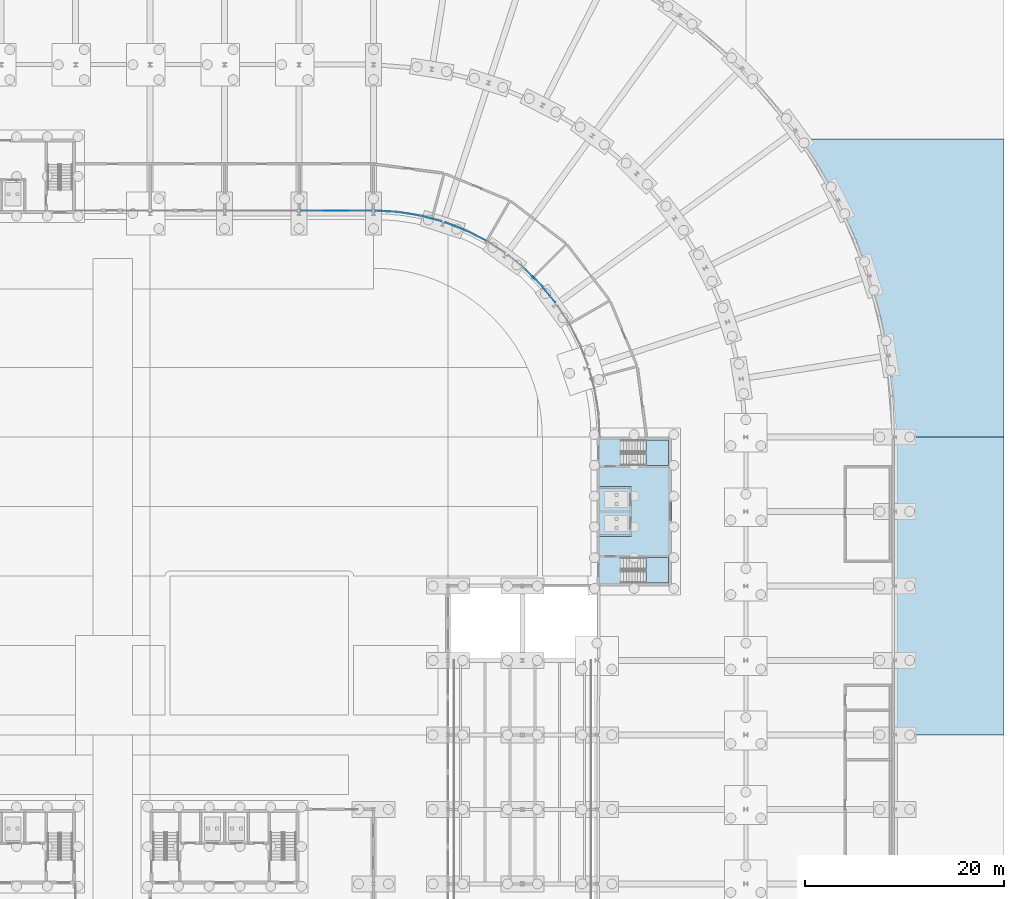
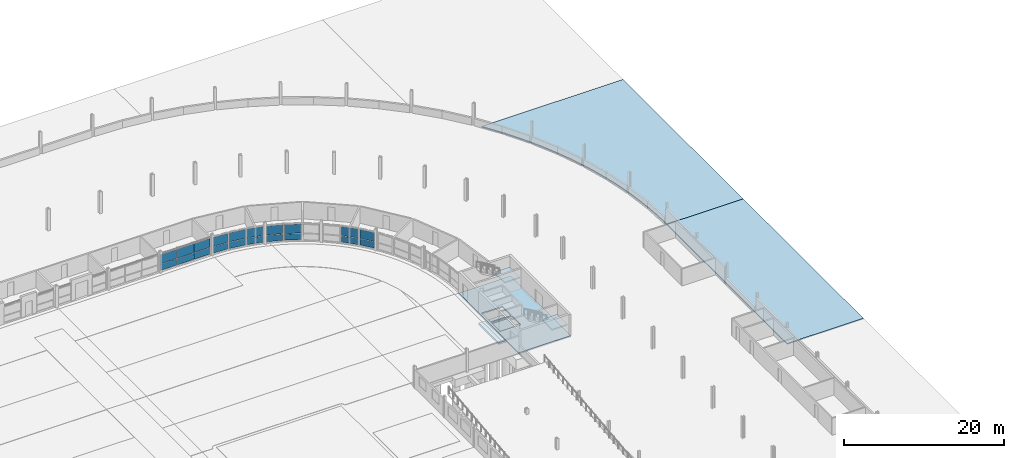
# One storey, part 74 of 130: 20 plates, 6 slabs, 10 elements without a shape of their own.
"""IFC4 building model written with IfcOpenShell, lengths in metres."""

import ifcopenshell
import ifcopenshell.guid

model = None  # the IFC model being written
_history = None  # IfcOwnerHistory: only IFC2X3 demands one
_inside = {}  # id of a spatial element -> (the spatial element, [elements in it])
_under = {}  # id of a project, library or spatial element -> (it, [spatial elements below it])
_declared = {}  # id of a project -> (the project, [libraries it declares])
_typed = {}  # id of a type object -> (the type object, [elements of that type])
_made_of = {}  # id of a material, layer set ... -> (it, [elements and type objects made of it])


def new_model(schema):
    """Start an empty IFC model of exactly this schema.

    Asked for "IFC4X3", IfcOpenShell would pick the latest addendum, in which some entities
    have other attributes; the version numbers below select the first issue.
    IFC2X3 requires an IfcOwnerHistory on every rooted entity: one is made here for all.
    """
    global model, _history
    if schema == "IFC4X3":
        model = ifcopenshell.file(schema_version=(4, 3, 0, 0))
    else:
        model = ifcopenshell.file(schema=schema)
    _inside.clear()
    _under.clear()
    _declared.clear()
    _typed.clear()
    _made_of.clear()
    _history = None
    if model.schema == "IFC2X3":
        org = make("IfcOrganization", Name="unknown")
        user = make(
            "IfcPersonAndOrganization",
            ThePerson=make("IfcPerson", FamilyName="unknown"),
            TheOrganization=org,
        )
        app = make(
            "IfcApplication",
            ApplicationDeveloper=org,
            Version="unknown",
            ApplicationFullName="unknown",
            ApplicationIdentifier="unknown",
        )
        _history = make(
            "IfcOwnerHistory",
            OwningUser=user,
            OwningApplication=app,
            ChangeAction="ADDED",
            CreationDate=0,
        )
    return model


def make(cls, **values):
    """One entity of the class cls with the attributes given. An attribute that is None is left unset."""
    return model.create_entity(
        cls, **{name: value for name, value in values.items() if value is not None}
    )


def rooted(cls, **values):
    """An entity with a GlobalId (a new one), such as an element, a storey or a relation."""
    return make(cls, GlobalId=ifcopenshell.guid.new(), OwnerHistory=_history, **values)


def si_unit(unit_type, name, prefix=None):
    """IfcSIUnit, for example si_unit("LENGTHUNIT", "METRE", prefix="MILLI")."""
    return make("IfcSIUnit", UnitType=unit_type, Prefix=prefix, Name=name)


def assignment(units):
    """IfcUnitAssignment: the units of a project."""
    return None if units is None else make("IfcUnitAssignment", Units=units)


def point(xyz):
    """IfcCartesianPoint."""
    return None if xyz is None else make("IfcCartesianPoint", Coordinates=xyz)


def direction(xyz):
    """IfcDirection."""
    return None if xyz is None else make("IfcDirection", DirectionRatios=xyz)


def frame(location, z_axis=None, x_axis=None):
    """IfcAxis2Placement3D, a coordinate frame: its origin and axes. An axis left out is left unset."""
    return make(
        "IfcAxis2Placement3D",
        Location=point(location),
        Axis=direction(z_axis),
        RefDirection=direction(x_axis),
    )


def frame_2d(location, x_axis=None):
    """IfcAxis2Placement2D, a coordinate frame in the plane: its origin and x axis."""
    return make(
        "IfcAxis2Placement2D", Location=point(location), RefDirection=direction(x_axis)
    )


def origin():
    """The frame at (0, 0, 0) with its axes left unset."""
    return frame((0.0, 0.0, 0.0))


def origin_2d():
    """The frame at (0, 0) in the plane with its x axis left unset."""
    return frame_2d((0.0, 0.0))


def place(relative_to, where):
    """IfcLocalPlacement: puts the frame where relative to a parent placement (None: the world)."""
    return make(
        "IfcLocalPlacement", PlacementRelTo=relative_to, RelativePlacement=where
    )


def context(
    kind, dimensions, precision=None, world=None, true_north=None, identifier=None
):
    """IfcGeometricRepresentationContext, for example the 3D "Model" context."""
    return make(
        "IfcGeometricRepresentationContext",
        ContextIdentifier=identifier,
        ContextType=kind,
        CoordinateSpaceDimension=dimensions,
        Precision=precision,
        WorldCoordinateSystem=world,
        TrueNorth=true_north,
    )


def subcontext(parent, identifier, kind, view, scale=None):
    """IfcGeometricRepresentationSubContext, for example "Body" below "Model"."""
    return make(
        "IfcGeometricRepresentationSubContext",
        ContextIdentifier=identifier,
        ContextType=kind,
        ParentContext=parent,
        TargetScale=scale,
        TargetView=view,
    )


def project(units=None, contexts=None):
    """IfcProject with its units and contexts."""
    return rooted(
        "IfcProject",
        Name="project",
        RepresentationContexts=contexts,
        UnitsInContext=assignment(units),
    )


def spatial(cls, under=None, at=None, **own):
    """A site, building, storey or space (cls), placed at a placement, below another one or the project."""
    s = rooted(cls, ObjectPlacement=at, **own)
    if under is not None:
        _under.setdefault(under.id(), (under, []))[1].append(s)
    return s


def polyline(points):
    """IfcPolyline through the points."""
    return make("IfcPolyline", Points=[point(p) for p in points])


def profile(cls, at=None, kind="AREA", **sizes):
    """A parametric profile (cls). Its sizes go by their IFC names, for example OverallWidth=200.0."""
    return make(cls, ProfileType=kind, Position=at, **sizes)


def rectangle(**sizes):
    """IfcRectangleProfileDef."""
    return profile("IfcRectangleProfileDef", **sizes)


def outline(outer, holes=None, kind="AREA"):
    """IfcArbitraryClosedProfileDef: a profile drawn as a closed curve; with holes, ...WithVoids."""
    if holes is None:
        return make("IfcArbitraryClosedProfileDef", ProfileType=kind, OuterCurve=outer)
    return make(
        "IfcArbitraryProfileDefWithVoids",
        ProfileType=kind,
        OuterCurve=outer,
        InnerCurves=holes,
    )


def extrude(swept, where, along, depth):
    """IfcExtrudedAreaSolid: the profile swept, set in the frame where, extruded along a direction by depth."""
    return make(
        "IfcExtrudedAreaSolid",
        SweptArea=swept,
        Position=where,
        ExtrudedDirection=direction(along),
        Depth=depth,
    )


def shape(context_of_items, identifier, shape_type, items):
    """IfcShapeRepresentation: the items that make up one representation, for example the "Body"."""
    return make(
        "IfcShapeRepresentation",
        ContextOfItems=context_of_items,
        RepresentationIdentifier=identifier,
        RepresentationType=shape_type,
        Items=items,
    )


def material(Name=None, Category=None):
    """IfcMaterial."""
    return make("IfcMaterial", Name=Name, Category=Category)


def layer(
    of_material, thickness, ventilated=None, Name=None, Category=None, Priority=None
):
    """IfcMaterialLayer: one layer of a wall or slab, of a material (None: an air gap)."""
    return make(
        "IfcMaterialLayer",
        Material=of_material,
        LayerThickness=thickness,
        IsVentilated=ventilated,
        Name=Name,
        Category=Category,
        Priority=Priority,
    )


def layer_set(layers, Name=None):
    """IfcMaterialLayerSet."""
    return make("IfcMaterialLayerSet", MaterialLayers=layers, LayerSetName=Name)


def made_of(thing, what):
    """Note that an element or type object is made of a material, layer set ...; save() writes the relation."""
    if what is not None:
        _made_of.setdefault(what.id(), (what, []))[1].append(thing)
    return thing


def type_object(cls, material=None, **own):
    """A type object (cls), such as IfcWallType, which elements share."""
    return made_of(rooted(cls, **own), material)


def element(
    cls,
    number,
    at=None,
    inside=None,
    cuts=None,
    type_object=None,
    material=None,
    context=None,
    identifier="Body",
    shape_type=None,
    held_by="IfcProductDefinitionShape",
    body=None,
    shapes=None,
    **own,
):
    """One element of the class cls, such as IfcWall. Its Tag is "e" and its number.

    at: its placement. inside: the storey or other place that contains it. cuts: it is an
    opening in that element (IfcRelVoidsElement). A single representation is given by context,
    identifier, shape_type and body (its items); several are given by shapes. held_by: the class
    of the entity that holds the representations. save() writes the other relations.
    """
    e = rooted(cls, Tag="e%d" % number, ObjectPlacement=at, **own)
    if body is not None:
        shapes = [shape(context, identifier, shape_type, body)]
    if shapes is not None:
        e.Representation = make(held_by, Representations=shapes)
    if inside is not None:
        _inside.setdefault(inside.id(), (inside, []))[1].append(e)
    if cuts is not None:
        rooted(
            "IfcRelVoidsElement", RelatingBuildingElement=cuts, RelatedOpeningElement=e
        )
    if type_object is not None:
        _typed.setdefault(type_object.id(), (type_object, []))[1].append(e)
    return made_of(e, material)


def aggregate(whole, parts):
    """IfcRelAggregates: a whole, such as a stair, and the parts it consists of."""
    return rooted("IfcRelAggregates", RelatingObject=whole, RelatedObjects=parts)


def save(model, path):
    """Write the relations noted so far, then the file.

    IfcRelAggregates (storeys below a building ...), IfcRelContainedInSpatialStructure (elements
    in a storey), IfcRelDefinesByType, IfcRelAssociatesMaterial and IfcRelDeclares: one each for
    every whole, place, type object, material and project.
    """
    for whole, parts in _under.values():
        aggregate(whole, parts)
    for where, things in _inside.values():
        rooted(
            "IfcRelContainedInSpatialStructure",
            RelatedElements=things,
            RelatingStructure=where,
        )
    for kind, things in _typed.values():
        rooted("IfcRelDefinesByType", RelatedObjects=things, RelatingType=kind)
    for what, things in _made_of.values():
        rooted("IfcRelAssociatesMaterial", RelatedObjects=things, RelatingMaterial=what)
    for by, libraries in _declared.values():
        rooted("IfcRelDeclares", RelatingContext=by, RelatedDefinitions=libraries)
    model.write(path)


model = new_model("IFC4")

# Units and contexts
model_context = context("Model", 3, precision=1e-05, world=origin(), true_north=direction((0.0, 1.0)))
body_context = subcontext(model_context, "Body", "Model", "MODEL_VIEW")
ifc_project = project(units=[si_unit("LENGTHUNIT", "METRE"), si_unit("AREAUNIT", "SQUARE_METRE"), si_unit("VOLUMEUNIT", "CUBIC_METRE"), si_unit("PLANEANGLEUNIT", "RADIAN"), si_unit("MASSUNIT", "GRAM", prefix="KILO")], contexts=[model_context])

# Site, building, storey
site_placement = place(None, origin())
site = spatial("IfcSite", under=ifc_project, at=site_placement, CompositionType="ELEMENT")
building_placement = place(site_placement, origin())
building = spatial("IfcBuilding", under=site, at=building_placement, Name="Parallax Yard Mobility Hub", CompositionType="ELEMENT")
storey_placement = place(building_placement, origin())
storey = spatial("IfcBuildingStorey", under=building, at=storey_placement, Name="L00", CompositionType="ELEMENT", Elevation=0.0)

# Slab
ifc_material_1 = material(Name="Concrete fc' 28 MPa", Category="concrete")
ifc_layer_1 = layer(ifc_material_1, 0.199951171875)
ifc_layer_set_1 = layer_set([ifc_layer_1], Name="Core ground slab 200")
slab_type_1 = type_object("IfcSlabType", Name="Core ground slab 200", PredefinedType="BASESLAB", material=ifc_layer_set_1)
slab_1_placement = place(storey_placement, frame((0.0, 0.0, -0.199951171875)))
element("IfcSlab", 1, at=slab_1_placement, inside=storey, type_object=slab_type_1, Name="Core C-E ground slab", PredefinedType="BASESLAB", context=body_context, shape_type="SweptSolid", body=[
    extrude(outline(polyline([(195.0, 75.0), (195.0, 90.0), (202.5, 90.0), (202.5, 75.0), (195.0, 75.0)]), holes=[polyline([(195.300048828125, 80.199951171875), (198.300048828125, 80.199951171875), (198.300048828125, 82.39990234375), (195.300048828125, 82.39990234375), (195.300048828125, 80.199951171875)]), polyline([(195.300048828125, 84.800048828125), (195.300048828125, 82.60009765625), (198.300048828125, 82.60009765625), (198.300048828125, 84.800048828125), (195.300048828125, 84.800048828125)])]), origin(), (0.0, 0.0, 1.0), 0.199951171875),
])

# Curtain wall, plates
ifc_material_2 = material(Name="Aluminium and glass curtain wall", Category="aluminium")
curtain_wall_type = type_object("IfcCurtainWallType", Name="Curtain wall, aluminium stick system", PredefinedType="NOTDEFINED", material=ifc_material_2)
curtain_wall_1_placement = place(storey_placement, origin())
curtain_wall_1 = element("IfcCurtainWall", 2, at=curtain_wall_1_placement, inside=storey, type_object=curtain_wall_type, Name="Curtain wall CW23 level L00 bay 17", PredefinedType="NOTDEFINED")
ifc_material_3 = material(Name="Glass, laminated double glazing", Category="glass")
ifc_layer_2 = layer(ifc_material_3, 0.028076171875)
ifc_layer_set_2 = layer_set([ifc_layer_2], Name="Curtain wall glass, laminated double glazing 28")
plate_type = type_object("IfcPlateType", Name="Curtain wall glass, laminated double glazing 28", PredefinedType="CURTAIN_PANEL", material=ifc_layer_set_2)
plate_1_placement = place(storey_placement, frame((166.367431640625, 112.800048828125, 0.06005859375), z_axis=(0.0, 0.0, 1.0), x_axis=(1.0, 0.0, 0.0)))
plate_1 = element("IfcPlate", 3, at=plate_1_placement, type_object=plate_type, Name="CW23 panel 1.1", PredefinedType="CURTAIN_PANEL", context=body_context, shape_type="SweptSolid", body=[
    extrude(rectangle(XDim=2.3076171875, YDim=0.028076171875, at=origin_2d()), origin(), (0.0, 0.0, 1.0), 0.9599609375),
])
plate_2_placement = place(storey_placement, frame((166.367431640625, 112.800048828125, 1.080078125), z_axis=(0.0, 0.0, 1.0), x_axis=(1.0, 0.0, 0.0)))
plate_2 = element("IfcPlate", 4, at=plate_2_placement, type_object=plate_type, Name="CW23 panel 1.2", PredefinedType="CURTAIN_PANEL", context=body_context, shape_type="SweptSolid", body=[
    extrude(rectangle(XDim=2.3076171875, YDim=0.028076171875, at=origin_2d()), origin(), (0.0, 0.0, 1.0), 1.360107421875),
])
plate_3_placement = place(storey_placement, frame((168.75, 112.800048828125, 0.06005859375), z_axis=(0.0, 0.0, 1.0), x_axis=(1.0, 0.0, 0.0)))
plate_3 = element("IfcPlate", 5, at=plate_3_placement, type_object=plate_type, Name="CW23 panel 2.1", PredefinedType="CURTAIN_PANEL", context=body_context, shape_type="SweptSolid", body=[
    extrude(rectangle(XDim=2.337646484375, YDim=0.028076171875, at=origin_2d()), origin(), (0.0, 0.0, 1.0), 0.9599609375),
])
plate_4_placement = place(storey_placement, frame((168.75, 112.800048828125, 1.080078125), z_axis=(0.0, 0.0, 1.0), x_axis=(1.0, 0.0, 0.0)))
plate_4 = element("IfcPlate", 6, at=plate_4_placement, type_object=plate_type, Name="CW23 panel 2.2", PredefinedType="CURTAIN_PANEL", context=body_context, shape_type="SweptSolid", body=[
    extrude(rectangle(XDim=2.337646484375, YDim=0.028076171875, at=origin_2d()), origin(), (0.0, 0.0, 1.0), 1.360107421875),
])
plate_5_placement = place(storey_placement, frame((171.132568359375, 112.800048828125, 0.06005859375), z_axis=(0.0, 0.0, 1.0), x_axis=(1.0, 0.0, 0.0)))
plate_5 = element("IfcPlate", 7, at=plate_5_placement, type_object=plate_type, Name="CW23 panel 3.1", PredefinedType="CURTAIN_PANEL", context=body_context, shape_type="SweptSolid", body=[
    extrude(rectangle(XDim=2.3076171875, YDim=0.028076171875, at=origin_2d()), origin(), (0.0, 0.0, 1.0), 0.9599609375),
])
plate_6_placement = place(storey_placement, frame((171.132568359375, 112.800048828125, 1.080078125), z_axis=(0.0, 0.0, 1.0), x_axis=(1.0, 0.0, 0.0)))
plate_6 = element("IfcPlate", 8, at=plate_6_placement, type_object=plate_type, Name="CW23 panel 3.2", PredefinedType="CURTAIN_PANEL", context=body_context, shape_type="SweptSolid", body=[
    extrude(rectangle(XDim=2.3076171875, YDim=0.028076171875, at=origin_2d()), origin(), (0.0, 0.0, 1.0), 1.360107421875),
])
aggregate(curtain_wall_1, [plate_1, plate_2, plate_3, plate_4, plate_5, plate_6])

curtain_wall_2_placement = place(storey_placement, origin())
curtain_wall_2 = element("IfcCurtainWall", 9, at=curtain_wall_2_placement, inside=storey, type_object=curtain_wall_type, Name="Curtain wall CW24 level L00 bay 18.1", PredefinedType="NOTDEFINED")
plate_7_placement = place(storey_placement, frame((173.751708984375, 112.728759765625, 0.06005859375), z_axis=(0.0, 0.0, 1.0), x_axis=(0.99836059838, -0.057237361947, 0.0)))
plate_7 = element("IfcPlate", 10, at=plate_7_placement, type_object=plate_type, Name="CW24 panel 1.1", PredefinedType="CURTAIN_PANEL", context=body_context, shape_type="SweptSolid", body=[
    extrude(rectangle(XDim=2.035888671875, YDim=0.028076171875, at=origin_2d()), origin(), (0.0, 0.0, 1.0), 0.9599609375),
])
plate_8_placement = place(storey_placement, frame((173.751708984375, 112.728759765625, 1.080078125), z_axis=(0.0, 0.0, 1.0), x_axis=(0.99836059838, -0.057237361947, 0.0)))
plate_8 = element("IfcPlate", 11, at=plate_8_placement, type_object=plate_type, Name="CW24 panel 1.2", PredefinedType="CURTAIN_PANEL", context=body_context, shape_type="SweptSolid", body=[
    extrude(rectangle(XDim=2.035888671875, YDim=0.028076171875, at=origin_2d()), origin(), (0.0, 0.0, 1.0), 1.360107421875),
])
aggregate(curtain_wall_2, [plate_7, plate_8])

curtain_wall_3_placement = place(storey_placement, origin())
curtain_wall_3 = element("IfcCurtainWall", 12, at=curtain_wall_3_placement, inside=storey, type_object=curtain_wall_type, Name="Curtain wall CW25 level L00 bay 18.2", PredefinedType="NOTDEFINED")
plate_9_placement = place(storey_placement, frame((176.059814453125, 112.4794921875, 0.06005859375), z_axis=(0.0, 0.0, 1.0), x_axis=(0.987944860935, -0.154806174785, 0.0)))
plate_9 = element("IfcPlate", 13, at=plate_9_placement, type_object=plate_type, Name="CW25 panel 1.1", PredefinedType="CURTAIN_PANEL", context=body_context, shape_type="SweptSolid", body=[
    extrude(rectangle(XDim=2.15380859375, YDim=0.028076171875, at=origin_2d()), origin(), (0.0, 0.0, 1.0), 0.9599609375),
])
plate_10_placement = place(storey_placement, frame((176.059814453125, 112.4794921875, 1.080078125), z_axis=(0.0, 0.0, 1.0), x_axis=(0.987944860935, -0.154806174785, 0.0)))
plate_10 = element("IfcPlate", 14, at=plate_10_placement, type_object=plate_type, Name="CW25 panel 1.2", PredefinedType="CURTAIN_PANEL", context=body_context, shape_type="SweptSolid", body=[
    extrude(rectangle(XDim=2.15380859375, YDim=0.028076171875, at=origin_2d()), origin(), (0.0, 0.0, 1.0), 1.360107421875),
])
aggregate(curtain_wall_3, [plate_9, plate_10])

curtain_wall_4_placement = place(storey_placement, origin())
curtain_wall_4 = element("IfcCurtainWall", 15, at=curtain_wall_4_placement, inside=storey, type_object=curtain_wall_type, Name="Curtain wall CW26 level L00 bay 18.3", PredefinedType="NOTDEFINED")
plate_11_placement = place(storey_placement, frame((178.33447265625, 112.0009765625, 0.06005859375), z_axis=(0.0, 0.0, 1.0), x_axis=(0.965924262406, -0.258824881523, 0.0)))
plate_11 = element("IfcPlate", 16, at=plate_11_placement, type_object=plate_type, Name="CW26 panel 1.1", PredefinedType="CURTAIN_PANEL", context=body_context, shape_type="SweptSolid", body=[
    extrude(rectangle(XDim=2.037841796875, YDim=0.028076171875, at=origin_2d()), origin(), (0.0, 0.0, 1.0), 0.9599609375),
])
plate_12_placement = place(storey_placement, frame((178.33447265625, 112.0009765625, 1.080078125), z_axis=(0.0, 0.0, 1.0), x_axis=(0.965924262406, -0.258824881523, 0.0)))
plate_12 = element("IfcPlate", 17, at=plate_12_placement, type_object=plate_type, Name="CW26 panel 1.2", PredefinedType="CURTAIN_PANEL", context=body_context, shape_type="SweptSolid", body=[
    extrude(rectangle(XDim=2.037841796875, YDim=0.028076171875, at=origin_2d()), origin(), (0.0, 0.0, 1.0), 1.360107421875),
])
aggregate(curtain_wall_4, [plate_11, plate_12])

curtain_wall_5_placement = place(storey_placement, origin())
curtain_wall_5 = element("IfcCurtainWall", 18, at=curtain_wall_5_placement, inside=storey, type_object=curtain_wall_type, Name="Curtain wall CW27 level L00 bay 19.1", PredefinedType="NOTDEFINED")
plate_13_placement = place(storey_placement, frame((180.7109375, 111.226806640625, 0.06005859375), z_axis=(0.0, 0.0, 1.0), x_axis=(0.933008327739, -0.359854776777, 0.0)))
plate_13 = element("IfcPlate", 19, at=plate_13_placement, type_object=plate_type, Name="CW27 panel 1.1", PredefinedType="CURTAIN_PANEL", context=body_context, shape_type="SweptSolid", body=[
    extrude(rectangle(XDim=2.03759765625, YDim=0.028076171875, at=origin_2d()), origin(), (0.0, 0.0, 1.0), 0.9599609375),
])
plate_14_placement = place(storey_placement, frame((180.7109375, 111.226806640625, 1.080078125), z_axis=(0.0, 0.0, 1.0), x_axis=(0.933008327739, -0.359854776777, 0.0)))
plate_14 = element("IfcPlate", 20, at=plate_14_placement, type_object=plate_type, Name="CW27 panel 1.2", PredefinedType="CURTAIN_PANEL", context=body_context, shape_type="SweptSolid", body=[
    extrude(rectangle(XDim=2.03759765625, YDim=0.028076171875, at=origin_2d()), origin(), (0.0, 0.0, 1.0), 1.360107421875),
])
aggregate(curtain_wall_5, [plate_13, plate_14])

curtain_wall_6_placement = place(storey_placement, origin())
curtain_wall_6 = element("IfcCurtainWall", 21, at=curtain_wall_6_placement, inside=storey, type_object=curtain_wall_type, Name="Curtain wall CW28 level L00 bay 19.2", PredefinedType="NOTDEFINED")
plate_15_placement = place(storey_placement, frame((182.833251953125, 110.282958984375, 0.06005859375), z_axis=(0.0, 0.0, 1.0), x_axis=(0.893237102352, -0.449585897223, 0.0)))
plate_15 = element("IfcPlate", 22, at=plate_15_placement, type_object=plate_type, Name="CW28 panel 1.1", PredefinedType="CURTAIN_PANEL", context=body_context, shape_type="SweptSolid", body=[
    extrude(rectangle(XDim=2.15478515625, YDim=0.028076171875, at=origin_2d()), origin(), (0.0, 0.0, 1.0), 0.9599609375),
])
plate_16_placement = place(storey_placement, frame((182.833251953125, 110.282958984375, 1.080078125), z_axis=(0.0, 0.0, 1.0), x_axis=(0.893237102352, -0.449585897223, 0.0)))
plate_16 = element("IfcPlate", 23, at=plate_16_placement, type_object=plate_type, Name="CW28 panel 1.2", PredefinedType="CURTAIN_PANEL", context=body_context, shape_type="SweptSolid", body=[
    extrude(rectangle(XDim=2.15478515625, YDim=0.028076171875, at=origin_2d()), origin(), (0.0, 0.0, 1.0), 1.360107421875),
])
aggregate(curtain_wall_6, [plate_15, plate_16])

curtain_wall_7_placement = place(storey_placement, origin())
curtain_wall_7 = element("IfcCurtainWall", 24, at=curtain_wall_7_placement, inside=storey, type_object=curtain_wall_type, Name="Curtain wall CW31 level L00 bay 20.2", PredefinedType="NOTDEFINED")
plate_17_placement = place(storey_placement, frame((188.594970703125, 106.0947265625, 0.06005859375), z_axis=(0.0, 0.0, 1.0), x_axis=(0.707084797114, -0.707128764575, 0.0)))
plate_17 = element("IfcPlate", 25, at=plate_17_placement, type_object=plate_type, Name="CW31 panel 1.1", PredefinedType="CURTAIN_PANEL", context=body_context, shape_type="SweptSolid", body=[
    extrude(rectangle(XDim=2.154296875, YDim=0.028076171875, at=origin_2d()), origin(), (0.0, 0.0, 1.0), 0.9599609375),
])
plate_18_placement = place(storey_placement, frame((188.594970703125, 106.0947265625, 1.080078125), z_axis=(0.0, 0.0, 1.0), x_axis=(0.707084797114, -0.707128764575, 0.0)))
plate_18 = element("IfcPlate", 26, at=plate_18_placement, type_object=plate_type, Name="CW31 panel 1.2", PredefinedType="CURTAIN_PANEL", context=body_context, shape_type="SweptSolid", body=[
    extrude(rectangle(XDim=2.154296875, YDim=0.028076171875, at=origin_2d()), origin(), (0.0, 0.0, 1.0), 1.360107421875),
])
aggregate(curtain_wall_7, [plate_17, plate_18])

curtain_wall_8_placement = place(storey_placement, origin())
curtain_wall_8 = element("IfcCurtainWall", 27, at=curtain_wall_8_placement, inside=storey, type_object=curtain_wall_type, Name="Curtain wall CW32 level L00 bay 20.3", PredefinedType="NOTDEFINED")
plate_19_placement = place(storey_placement, frame((190.15185546875, 104.3671875, 0.06005859375), z_axis=(0.0, 0.0, 1.0), x_axis=(0.628038457593, -0.77818230241, 0.0)))
plate_19 = element("IfcPlate", 28, at=plate_19_placement, type_object=plate_type, Name="CW32 panel 1.1", PredefinedType="CURTAIN_PANEL", context=body_context, shape_type="SweptSolid", body=[
    extrude(rectangle(XDim=2.039306640625, YDim=0.028076171875, at=origin_2d()), origin(), (0.0, 0.0, 1.0), 0.9599609375),
])
plate_20_placement = place(storey_placement, frame((190.15185546875, 104.3671875, 1.080078125), z_axis=(0.0, 0.0, 1.0), x_axis=(0.628038457593, -0.77818230241, 0.0)))
plate_20 = element("IfcPlate", 29, at=plate_20_placement, type_object=plate_type, Name="CW32 panel 1.2", PredefinedType="CURTAIN_PANEL", context=body_context, shape_type="SweptSolid", body=[
    extrude(rectangle(XDim=2.039306640625, YDim=0.028076171875, at=origin_2d()), origin(), (0.0, 0.0, 1.0), 1.360107421875),
])
aggregate(curtain_wall_8, [plate_19, plate_20])

# Stair, slab
ifc_material_4 = material(Name="Concrete fc' 35 MPa", Category="concrete")
stair_type = type_object("IfcStairType", Name="Exit stair 1200 dog-leg", PredefinedType="HALF_TURN_STAIR", material=ifc_material_4)
stair_1_placement = place(storey_placement, origin())
stair_1 = element("IfcStair", 30, at=stair_1_placement, inside=storey, type_object=stair_type, Name="L00 Exit stair 1 of core C-E", PredefinedType="HALF_TURN_STAIR")
ifc_layer_3 = layer(ifc_material_4, 0.199951171875)
ifc_layer_set_3 = layer_set([ifc_layer_3], Name="Exit stair landing 200")
slab_type_2 = type_object("IfcSlabType", Name="Exit stair landing 200", PredefinedType="LANDING", material=ifc_layer_set_3)
slab_2_placement = place(storey_placement, frame((0.0, 0.0, 1.449951171875)))
slab_2 = element("IfcSlab", 31, at=slab_2_placement, type_object=slab_type_2, Name="ST7 landing 1", PredefinedType="LANDING", context=body_context, shape_type="SweptSolid", body=[
    extrude(outline(polyline([(199.965087890625, 75.300048828125), (202.199951171875, 75.300048828125), (202.199951171875, 77.85009765625), (199.965087890625, 77.85009765625), (199.965087890625, 75.300048828125)])), origin(), (0.0, 0.0, 1.0), 0.199951171875),
])
aggregate(stair_1, [slab_2])

stair_2_placement = place(storey_placement, origin())
stair_2 = element("IfcStair", 32, at=stair_2_placement, inside=storey, type_object=stair_type, Name="L00 Exit stair 2 of core C-E", PredefinedType="HALF_TURN_STAIR")
slab_3_placement = place(storey_placement, frame((0.0, 0.0, 1.449951171875)))
slab_3 = element("IfcSlab", 33, at=slab_3_placement, type_object=slab_type_2, Name="ST8 landing 1", PredefinedType="LANDING", context=body_context, shape_type="SweptSolid", body=[
    extrude(outline(polyline([(199.965087890625, 87.14990234375), (202.199951171875, 87.14990234375), (202.199951171875, 89.699951171875), (199.965087890625, 89.699951171875), (199.965087890625, 87.14990234375)])), origin(), (0.0, 0.0, 1.0), 0.199951171875),
])
aggregate(stair_2, [slab_3])

# Slabs
ifc_layer_4 = layer(ifc_material_1, 0.300048828125)
ifc_layer_set_4 = layer_set([ifc_layer_4], Name="Lift pit slab 300")
slab_type_3 = type_object("IfcSlabType", Name="Lift pit slab 300", PredefinedType="BASESLAB", material=ifc_layer_set_4)
slab_4_placement = place(storey_placement, frame((0.0, 0.0, -1.800048828125)))
element("IfcSlab", 34, at=slab_4_placement, inside=storey, type_object=slab_type_3, Name="Core C-E lift pit slab (shaft group 1)", PredefinedType="BASESLAB", context=body_context, shape_type="SweptSolid", body=[
    extrude(outline(polyline([(198.5, 80.0), (198.5, 85.0), (195.0, 85.0), (195.0, 80.0), (198.5, 80.0)])), origin(), (0.0, 0.0, 1.0), 0.300048828125),
])
ifc_layer_5 = layer(ifc_material_1, 0.14990234375)
ifc_layer_set_5 = layer_set([ifc_layer_5], Name="Public yard paving 150")
slab_type_4 = type_object("IfcSlabType", Name="Public yard paving 150", PredefinedType="FLOOR", material=ifc_layer_set_5)
slab_5_placement = place(storey_placement, frame((0.0, 0.0, -0.14990234375)))
element("IfcSlab", 35, at=slab_5_placement, inside=storey, type_object=slab_type_4, Name="Public yard paving panel 33", PredefinedType="FLOOR", context=body_context, shape_type="SweptSolid", body=[
    extrude(outline(polyline([(236.0, 60.0), (225.0009765625, 60.0), (225.0009765625, 90.0), (236.0, 90.0), (236.0, 60.0)])), origin(), (0.0, 0.0, 1.0), 0.14990234375),
])
slab_6_placement = place(storey_placement, frame((0.0, 0.0, -0.14990234375)))
element("IfcSlab", 36, at=slab_6_placement, inside=storey, type_object=slab_type_4, Name="Public yard paving panel 34", PredefinedType="FLOOR", context=body_context, shape_type="SweptSolid", body=[
    extrude(outline(polyline([(236.0, 90.0), (225.0009765625, 90.0), (225.0009765625, 90.0), (224.97998046875, 91.473388671875), (224.97998046875, 91.473388671875), (224.959716796875, 91.96337890625), (224.959716796875, 91.96337890625), (224.91748046875, 92.945556640625), (224.91748046875, 92.94580078125), (224.914794921875, 92.984375), (224.914306640625, 92.997314453125), (224.90478515625, 93.130615234375), (224.877197265625, 93.532470703125), (224.877197265625, 93.532470703125), (224.81396484375, 94.41552734375), (224.81396484375, 94.41552734375), (224.810302734375, 94.4541015625), (224.807373046875, 94.49267578125), (224.780517578125, 94.76220703125), (224.75341796875, 95.04248046875), (224.75341796875, 95.04248046875), (224.669189453125, 95.882080078125), (224.669189453125, 95.882080078125), (224.663818359375, 95.92431640625), (224.65771484375, 95.984619140625), (224.61669921875, 96.302978515625), (224.58837890625, 96.529541015625), (224.58837890625, 96.529541015625), (224.483154296875, 97.343994140625), (224.483154296875, 97.343994140625), (224.4765625, 97.38623046875), (224.465576171875, 97.471435546875), (224.41064453125, 97.818359375), (224.382568359375, 98.003173828125), (224.382568359375, 98.003173828125), (224.256103515625, 98.80029296875), (224.256103515625, 98.80029296875), (224.248046875, 98.8447265625), (224.231201171875, 98.952392578125), (224.16259765625, 99.316650390625), (224.1357421875, 99.4658203125), (224.1357421875, 99.4658203125), (223.988525390625, 100.24951171875), (223.988525390625, 100.24951171875), (223.97900390625, 100.29541015625), (223.954345703125, 100.426025390625), (223.876708984375, 100.783203125), (223.848388671875, 100.91796875), (223.848388671875, 100.91796875), (223.68017578125, 101.69091796875), (223.68017578125, 101.69091796875), (223.6689453125, 101.73779296875), (223.635498046875, 101.89111328125), (223.548095703125, 102.244140625), (223.5205078125, 102.35986328125), (223.5205078125, 102.35986328125), (223.33154296875, 103.122802734375), (223.33154296875, 103.123046875), (223.318115234375, 103.1728515625), (223.275146484375, 103.346435546875), (223.1806640625, 103.6865234375), (223.152587890625, 103.791015625), (223.152587890625, 103.791015625), (222.94287109375, 104.544921875), (222.94287109375, 104.544921875), (222.92724609375, 104.597412109375), (222.873291015625, 104.791015625), (222.7724609375, 105.1171875), (222.744873046875, 105.210205078125), (222.744873046875, 105.210205078125), (222.514404296875, 105.955322265625), (222.514404296875, 105.955322265625), (222.49658203125, 106.009765625), (222.430419921875, 106.223388671875), (222.323486328125, 106.537109375), (222.297607421875, 106.61669921875), (222.29736328125, 106.61669921875), (222.04638671875, 107.353515625), (222.04638671875, 107.353515625), (222.025146484375, 107.41259765625), (221.94677734375, 107.642578125), (221.836669921875, 107.937744140625), (221.810791015625, 108.009521484375), (221.810791015625, 108.009521484375), (221.539306640625, 108.738037109375), (221.539306640625, 108.738037109375), (221.5146484375, 108.801025390625), (221.4228515625, 109.04736328125), (221.3115234375, 109.321533203125), (221.28564453125, 109.38818359375), (221.28564453125, 109.38818359375), (220.993408203125, 110.10791015625), (220.993408203125, 110.10791015625), (220.967041015625, 110.17041015625), (220.85888671875, 110.436767578125), (220.748291015625, 110.688720703125), (220.721923828125, 110.7509765625), (220.721923828125, 110.7509765625), (220.4091796875, 111.46240234375), (220.4091796875, 111.46240234375), (220.3779296875, 111.531005859375), (220.255615234375, 111.809326171875), (220.147216796875, 112.037841796875), (220.120361328125, 112.09716796875), (220.120361328125, 112.09716796875), (219.787109375, 112.800048828125), (219.787109375, 112.800048828125), (219.751220703125, 112.87353515625), (219.61328125, 113.1640625), (219.5068359375, 113.373046875), (219.481201171875, 113.42578125), (219.481201171875, 113.426025390625), (219.12744140625, 114.1201171875), (219.12744140625, 114.1201171875), (219.086181640625, 114.198974609375), (218.9326171875, 114.5), (218.830078125, 114.687744140625), (218.804931640625, 114.736083984375), (218.804931640625, 114.736083984375), (218.4306640625, 115.421630859375), (218.4306640625, 115.421630859375), (218.383056640625, 115.5068359375), (218.214111328125, 115.81591796875), (218.119140625, 115.978515625), (218.092529296875, 116.026611328125), (218.092529296875, 116.026611328125), (217.963134765625, 116.248046875), (217.697265625, 116.70361328125), (217.697265625, 116.70361328125), (217.6396484375, 116.80029296875), (217.458251953125, 117.11083984375), (217.370849609375, 117.25146484375), (217.343994140625, 117.29638671875), (217.343994140625, 117.29638671875), (216.92724609375, 117.965576171875), (216.92724609375, 117.965576171875), (216.860107421875, 118.071533203125), (216.665771484375, 118.383544921875), (216.5859375, 118.504150390625), (216.560302734375, 118.544677734375), (216.560302734375, 118.544677734375), (216.12158203125, 119.206298828125), (216.12158203125, 119.206298828125), (216.042236328125, 119.32421875), (215.83740234375, 119.63330078125), (215.76708984375, 119.732666015625), (215.74169921875, 119.7705078125), (215.74169921875, 119.7705078125), (215.579833984375, 120.0), (236.0, 120.0), (236.0, 90.0)])), origin(), (0.0, 0.0, 1.0), 0.14990234375),
])

save(model, "model.ifc")
